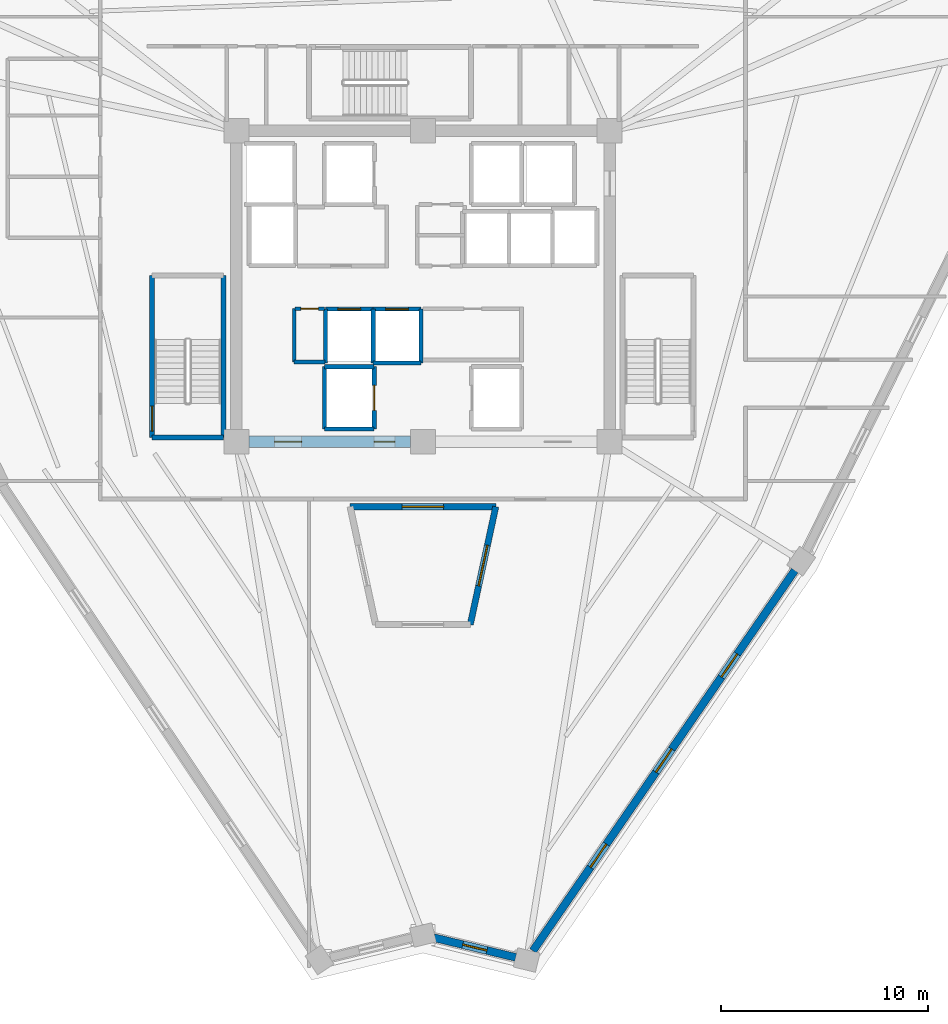
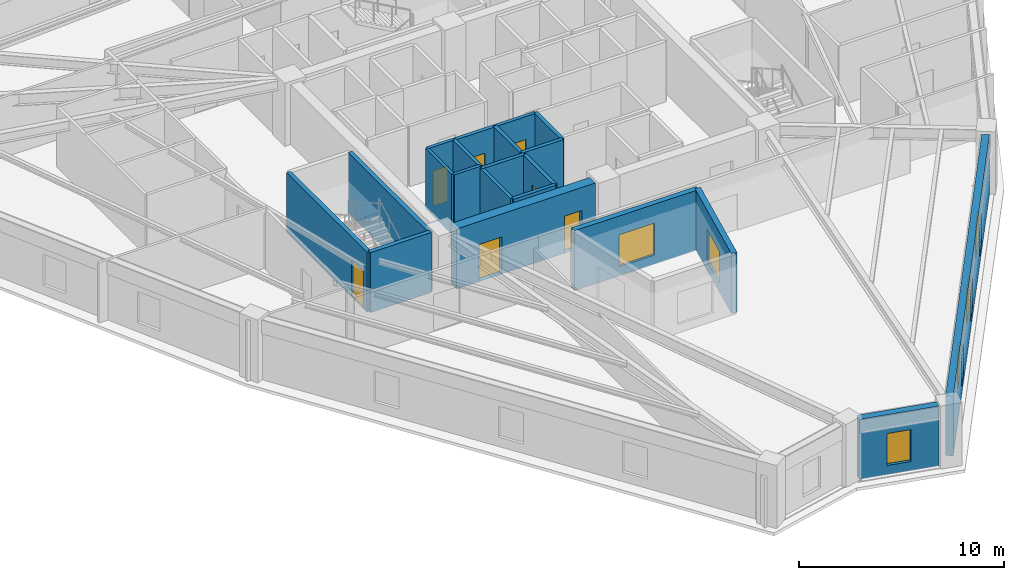
# One storey, part 3 of 10: 21 walls, 7 doors, 6 windows, 13 openings.
"""IFC4 building model written with IfcOpenShell, lengths in metres."""

from ifc_helpers import new_model, si_unit, direction, frame, frame_2d, origin, place, context, subcontext, project, spatial, rectangle, extrude, source, transform, mapped, material, layer, layer_set, type_object, element, fill, save


model = new_model("IFC4")

# Units and contexts
model_context = context("Model", 3, precision=1e-05, world=origin(), true_north=direction((0.0, 1.0)))
body_context = subcontext(model_context, "Body", "Model", "MODEL_VIEW")
ifc_project = project(units=[si_unit("LENGTHUNIT", "METRE"), si_unit("AREAUNIT", "SQUARE_METRE"), si_unit("VOLUMEUNIT", "CUBIC_METRE"), si_unit("PLANEANGLEUNIT", "RADIAN"), si_unit("MASSUNIT", "GRAM", prefix="KILO")], contexts=[model_context])

# Site, building, storey
site_placement = place(None, origin())
site = spatial("IfcSite", under=ifc_project, at=site_placement, CompositionType="ELEMENT")
building_placement = place(site_placement, origin())
building = spatial("IfcBuilding", under=site, at=building_placement, Name="Liaohun Quay Tower", CompositionType="ELEMENT")
storey_placement = place(building_placement, frame((0.0, 0.0, 286.5)))
storey = spatial("IfcBuildingStorey", under=building, at=storey_placement, Name="L74", CompositionType="ELEMENT", Elevation=286.5)

# Wall, opening, window
ifc_material_1 = material(Name="Concrete C50", Category="concrete")
ifc_layer_1 = layer(ifc_material_1, 0.300048828125, Name="Concrete C50", Category="concrete")
ifc_layer_set_1 = layer_set([ifc_layer_1], Name="Concrete C50")
wall_type_1 = type_object("IfcWallType", Name="WAL-ATR-300", PredefinedType="SOLIDWALL", material=ifc_layer_set_1)
wall_1_placement = place(storey_placement, frame((56.488037109375, 43.3701171875, 0.0), z_axis=(0.0, 0.0, 1.0), x_axis=(1.0, 0.0, 0.0)))
wall_1 = element("IfcWall", 1, at=wall_1_placement, inside=storey, type_object=wall_type_1, Name="L74 Atrium Fire Compartment Wall 2", PredefinedType="SOLIDWALL", context=body_context, shape_type="SweptSolid", body=[
    extrude(rectangle(XDim=7.02392578125, YDim=0.300048828125, at=frame_2d((3.511962890625, 0.0))), origin(), (0.0, 0.0, 1.0), 3.570068359375),
])
shared_shape_1 = source(origin(), body_context, "Body", "SweptSolid", [
    extrude(rectangle(XDim=2.0, YDim=1.89990234375, at=frame_2d((1.0, 0.949951171875))), frame((0.0, 0.159912109375, 0.0), z_axis=(0.0, -1.0, 0.0), x_axis=(1.0, 0.0, 0.0)), (0.0, 0.0, 1.0), 0.320068359375),
])
opening_1_placement = place(wall_1_placement, frame((2.511962890625, 0.0, 0.550048828125)))
opening_1 = element("IfcOpeningElement", 2, at=opening_1_placement, cuts=wall_1, Name="Opening W07", PredefinedType="OPENING", context=body_context, shape_type="MappedRepresentation", body=[
    mapped(shared_shape_1, transform((0.0, 0.0, 0.0), x_axis=(1.0, 0.0, 0.0), y_axis=(0.0, 1.0, 0.0), z_axis=(0.0, 0.0, 1.0), scale=1.0)),
])
ifc_material_2 = material(Name="Class A 180-min fire-resistant insulated glazing", Category="glass")
window_type_1 = type_object("IfcWindowType", Name="WIN-ATR-FIR", PartitioningType="DOUBLE_PANEL_VERTICAL", PredefinedType="WINDOW", material=ifc_material_2)
shared_shape_2 = source(origin(), body_context, "Body", "SweptSolid", [
    extrude(rectangle(XDim=2.0, YDim=1.89990234375, at=frame_2d((1.0, 0.949951171875))), frame((0.0, 0.030029296875, 0.0), z_axis=(0.0, -1.0, 0.0), x_axis=(1.0, 0.0, 0.0)), (0.0, 0.0, 1.0), 0.06005859375),
])
window_1_placement = place(opening_1_placement, origin())
window_1 = element("IfcWindow", 3, at=window_1_placement, inside=storey, type_object=window_type_1, Name="L74 Atrium Fire-Resistant Glazing W07-2", OverallHeight=1.89990234375, OverallWidth=2.0, PartitioningType="DOUBLE_PANEL_VERTICAL", PredefinedType="WINDOW", context=body_context, shape_type="MappedRepresentation", body=[
    mapped(shared_shape_2, transform((0.0, 0.0, 0.0), x_axis=(1.0, 0.0, 0.0), y_axis=(0.0, 1.0, 0.0), z_axis=(0.0, 0.0, 1.0), scale=1.0)),
])
fill(opening_1, window_1)

wall_2_placement = place(storey_placement, frame((63.511962890625, 43.3701171875, 0.0), z_axis=(0.0, 0.0, 1.0), x_axis=(-0.211300278916, -0.977421194844, 0.0)))
wall_2 = element("IfcWall", 4, at=wall_2_placement, inside=storey, type_object=wall_type_1, Name="L74 Atrium Fire Compartment Wall 3", PredefinedType="SOLIDWALL", context=body_context, shape_type="SweptSolid", body=[
    extrude(rectangle(XDim=5.81640625, YDim=0.300048828125, at=frame_2d((2.908203125, 0.0))), origin(), (0.0, 0.0, 1.0), 3.570068359375),
])
opening_2_placement = place(wall_2_placement, frame((1.907958984375, 0.0, 0.550048828125)))
opening_2 = element("IfcOpeningElement", 5, at=opening_2_placement, cuts=wall_2, Name="Opening W07", PredefinedType="OPENING", context=body_context, shape_type="MappedRepresentation", body=[
    mapped(shared_shape_1, transform((0.0, 0.0, 0.0), x_axis=(1.0, 0.0, 0.0), y_axis=(0.0, 1.0, 0.0), z_axis=(0.0, 0.0, 1.0), scale=1.0)),
])
window_2_placement = place(opening_2_placement, origin())
window_2 = element("IfcWindow", 6, at=window_2_placement, inside=storey, type_object=window_type_1, Name="L74 Atrium Fire-Resistant Glazing W07-3", OverallHeight=1.89990234375, OverallWidth=2.0, PartitioningType="DOUBLE_PANEL_VERTICAL", PredefinedType="WINDOW", context=body_context, shape_type="MappedRepresentation", body=[
    mapped(shared_shape_2, transform((0.0, 0.0, 0.0), x_axis=(1.0, 0.0, 0.0), y_axis=(0.0, 1.0, 0.0), z_axis=(0.0, 0.0, 1.0), scale=1.0)),
])
fill(opening_2, window_2)

# Wall, openings, doors
ifc_layer_2 = layer(ifc_material_1, 0.550048828125, Name="Concrete C50", Category="concrete")
ifc_layer_set_2 = layer_set([ifc_layer_2], Name="Concrete C50")
wall_type_2 = type_object("IfcWallType", Name="WAL-COR-Z4", PredefinedType="SHEAR", material=ifc_layer_set_2)
wall_3_placement = place(storey_placement, frame((59.39990234375, 46.5, 0.0), z_axis=(0.0, 0.0, 1.0), x_axis=(-1.0, 0.0, 0.0)))
wall_3 = element("IfcWall", 7, at=wall_3_placement, inside=storey, type_object=wall_type_2, Name="L74 Central Core Shear Wall S-W", PredefinedType="SHEAR", context=body_context, shape_type="SweptSolid", body=[
    extrude(rectangle(XDim=7.7998046875, YDim=0.550048828125, at=frame_2d((3.89990234375, 0.0))), origin(), (0.0, 0.0, 1.0), 3.570068359375),
])
shared_shape_3 = source(origin(), body_context, "Body", "SweptSolid", [
    extrude(rectangle(XDim=1.300048828125, YDim=2.199951171875, at=frame_2d((0.64990234375, 1.10009765625))), frame((0.0, 0.284912109375, 0.0), z_axis=(0.0, -1.0, 0.0), x_axis=(1.0, 0.0, 0.0)), (0.0, 0.0, 1.0), 0.570068359375),
])
opening_3_placement = place(wall_3_placement, frame((5.25, 0.0, 0.0)))
opening_3 = element("IfcOpeningElement", 8, at=opening_3_placement, cuts=wall_3, Name="Opening FD1", PredefinedType="OPENING", context=body_context, shape_type="MappedRepresentation", body=[
    mapped(shared_shape_3, transform((0.0, 0.0, 0.0), x_axis=(1.0, 0.0, 0.0), y_axis=(0.0, 1.0, 0.0), z_axis=(0.0, 0.0, 1.0), scale=1.0)),
])
shared_shape_4 = source(origin(), body_context, "Body", "SweptSolid", [
    extrude(rectangle(XDim=1.0, YDim=2.199951171875, at=frame_2d((0.5, 1.10009765625))), frame((0.0, 0.284912109375, 0.0), z_axis=(0.0, -1.0, 0.0), x_axis=(1.0, 0.0, 0.0)), (0.0, 0.0, 1.0), 0.570068359375),
])
opening_4_placement = place(wall_3_placement, frame((0.75, 0.0, 0.0)))
opening_4 = element("IfcOpeningElement", 9, at=opening_4_placement, cuts=wall_3, Name="Opening FD2", PredefinedType="OPENING", context=body_context, shape_type="MappedRepresentation", body=[
    mapped(shared_shape_4, transform((0.0, 0.0, 0.0), x_axis=(1.0, 0.0, 0.0), y_axis=(0.0, 1.0, 0.0), z_axis=(0.0, 0.0, 1.0), scale=1.0)),
])
ifc_material_3 = material(Name="Galvanised steel smokeproof fire door", Category="steel")
door_type_1 = type_object("IfcDoorType", Name="DOR-FFL-1300", OperationType="NOTDEFINED", PredefinedType="DOOR", material=ifc_material_3)
shared_shape_5 = source(origin(), body_context, "Body", "SweptSolid", [
    extrude(rectangle(XDim=1.300048828125, YDim=2.199951171875, at=frame_2d((0.64990234375, 1.10009765625))), frame((0.0, 0.02490234375, 0.0), z_axis=(0.0, -1.0, 0.0), x_axis=(1.0, 0.0, 0.0)), (0.0, 0.0, 1.0), 0.050048828125),
])
door_1_placement = place(opening_3_placement, origin())
door_1 = element("IfcDoor", 10, at=door_1_placement, inside=storey, type_object=door_type_1, Name="L74 West Core Lift Lobby Smokeproof Door", OperationType="SINGLE_SWING_RIGHT", OverallHeight=2.199951171875, OverallWidth=1.300048828125, PredefinedType="DOOR", context=body_context, shape_type="MappedRepresentation", body=[
    mapped(shared_shape_5, transform((0.0, 0.0, 0.0), x_axis=(1.0, 0.0, 0.0), y_axis=(0.0, 1.0, 0.0), z_axis=(0.0, 0.0, 1.0), scale=1.0)),
])
fill(opening_3, door_1)
ifc_material_4 = material(Name="Galvanised steel smokeproof lobby fire door", Category="steel")
door_type_2 = type_object("IfcDoorType", Name="DOR-FFL-1000", OperationType="NOTDEFINED", PredefinedType="DOOR", material=ifc_material_4)
shared_shape_6 = source(origin(), body_context, "Body", "SweptSolid", [
    extrude(rectangle(XDim=1.0, YDim=2.199951171875, at=frame_2d((0.5, 1.10009765625))), frame((0.0, 0.02490234375, 0.0), z_axis=(0.0, -1.0, 0.0), x_axis=(1.0, 0.0, 0.0)), (0.0, 0.0, 1.0), 0.050048828125),
])
door_2_placement = place(opening_4_placement, origin())
door_2 = element("IfcDoor", 11, at=door_2_placement, inside=storey, type_object=door_type_2, Name="L74 South Firefighting Lobby Smokeproof Door", OperationType="SINGLE_SWING_LEFT", OverallHeight=2.199951171875, OverallWidth=1.0, PredefinedType="DOOR", context=body_context, shape_type="MappedRepresentation", body=[
    mapped(shared_shape_6, transform((0.0, 0.0, 0.0), x_axis=(1.0, 0.0, 0.0), y_axis=(0.0, 1.0, 0.0), z_axis=(0.0, 0.0, 1.0), scale=1.0)),
])
fill(opening_4, door_2)

# Wall, opening, window
ifc_material_5 = material(Name="Precast concrete C50 insulated sandwich", Category="concrete")
ifc_layer_3 = layer(ifc_material_5, 0.3798828125, Name="Precast concrete C50 insulated sandwich", Category="concrete")
ifc_layer_set_3 = layer_set([ifc_layer_3], Name="Precast concrete C50 insulated sandwich")
wall_type_3 = type_object("IfcWallType", Name="WAL-EXT-Z34", PredefinedType="SOLIDWALL", material=ifc_layer_set_3)
wall_4_placement = place(storey_placement, frame((60.52490234375, 22.5849609375, 0.0), z_axis=(0.0, 0.0, 1.0), x_axis=(0.97211669423, -0.234497617897, 0.0)))
wall_4 = element("IfcWall", 12, at=wall_4_placement, inside=storey, type_object=wall_type_3, Name="L74 Brutalist Precast Pier Wall 01", PredefinedType="SOLIDWALL", context=body_context, shape_type="SweptSolid", body=[
    extrude(rectangle(XDim=4.0634765625, YDim=0.3798828125, at=frame_2d((2.03173828125, 0.0))), origin(), (0.0, 0.0, 1.0), 3.570068359375),
])
shared_shape_7 = source(origin(), body_context, "Body", "SweptSolid", [
    extrude(rectangle(XDim=1.199951171875, YDim=1.89990234375, at=frame_2d((0.60009765625, 0.949951171875))), frame((0.0, 0.199951171875, 0.0), z_axis=(0.0, -1.0, 0.0), x_axis=(1.0, 0.0, 0.0)), (0.0, 0.0, 1.0), 0.39990234375),
])
opening_5_placement = place(wall_4_placement, frame((1.431884765625, 0.0, 0.550048828125)))
opening_5 = element("IfcOpeningElement", 13, at=opening_5_placement, cuts=wall_4, Name="Opening W05", PredefinedType="OPENING", context=body_context, shape_type="MappedRepresentation", body=[
    mapped(shared_shape_7, transform((0.0, 0.0, 0.0), x_axis=(1.0, 0.0, 0.0), y_axis=(0.0, 1.0, 0.0), z_axis=(0.0, 0.0, 1.0), scale=1.0)),
])
ifc_material_6 = material(Name="Triple Low-E corner notch glazing", Category="glass")
window_type_2 = type_object("IfcWindowType", Name="WIN-NOTCH", PartitioningType="SINGLE_PANEL", PredefinedType="WINDOW", material=ifc_material_6)
shared_shape_8 = source(origin(), body_context, "Body", "SweptSolid", [
    extrude(rectangle(XDim=1.199951171875, YDim=1.89990234375, at=frame_2d((0.60009765625, 0.949951171875))), frame((0.0, 0.030029296875, 0.0), z_axis=(0.0, -1.0, 0.0), x_axis=(1.0, 0.0, 0.0)), (0.0, 0.0, 1.0), 0.06005859375),
])
window_3_placement = place(opening_5_placement, origin())
window_3 = element("IfcWindow", 14, at=window_3_placement, inside=storey, type_object=window_type_2, Name="L74 Corner Notch Window W05-01", OverallHeight=1.89990234375, OverallWidth=1.199951171875, PartitioningType="SINGLE_PANEL", PredefinedType="WINDOW", context=body_context, shape_type="MappedRepresentation", body=[
    mapped(shared_shape_8, transform((0.0, 0.0, 0.0), x_axis=(1.0, 0.0, 0.0), y_axis=(0.0, 1.0, 0.0), z_axis=(0.0, 0.0, 1.0), scale=1.0)),
])
fill(opening_5, window_3)

# Wall, openings, windows
wall_5_placement = place(storey_placement, frame((65.305908203125, 21.949951171875, 0.0), z_axis=(0.0, 0.0, 1.0), x_axis=(0.567030177534, 0.823697018184, 0.0)))
wall_5 = element("IfcWall", 15, at=wall_5_placement, inside=storey, type_object=wall_type_3, Name="L74 Brutalist Precast Pier Wall 02", PredefinedType="SOLIDWALL", context=body_context, shape_type="SweptSolid", body=[
    extrude(rectangle(XDim=22.274169921875, YDim=0.3798828125, at=frame_2d((11.13720703125, 0.0))), origin(), (0.0, 0.0, 1.0), 3.570068359375),
])
shared_shape_9 = source(origin(), body_context, "Body", "SweptSolid", [
    extrude(rectangle(XDim=1.35009765625, YDim=1.85009765625, at=frame_2d((0.675048828125, 0.925048828125))), frame((0.0, 0.199951171875, 0.0), z_axis=(0.0, -1.0, 0.0), x_axis=(1.0, 0.0, 0.0)), (0.0, 0.0, 1.0), 0.39990234375),
])
opening_6_placement = place(wall_5_placement, frame((4.89306640625, 0.0, 0.550048828125)))
opening_6 = element("IfcOpeningElement", 16, at=opening_6_placement, cuts=wall_5, Name="Opening W04", PredefinedType="OPENING", context=body_context, shape_type="MappedRepresentation", body=[
    mapped(shared_shape_9, transform((0.0, 0.0, 0.0), x_axis=(1.0, 0.0, 0.0), y_axis=(0.0, 1.0, 0.0), z_axis=(0.0, 0.0, 1.0), scale=1.0)),
])
opening_7_placement = place(wall_5_placement, frame((10.4619140625, 0.0, 0.550048828125)))
opening_7 = element("IfcOpeningElement", 17, at=opening_7_placement, cuts=wall_5, Name="Opening W04", PredefinedType="OPENING", context=body_context, shape_type="MappedRepresentation", body=[
    mapped(shared_shape_9, transform((0.0, 0.0, 0.0), x_axis=(1.0, 0.0, 0.0), y_axis=(0.0, 1.0, 0.0), z_axis=(0.0, 0.0, 1.0), scale=1.0)),
])
opening_8_placement = place(wall_5_placement, frame((16.030029296875, 0.0, 0.550048828125)))
opening_8 = element("IfcOpeningElement", 18, at=opening_8_placement, cuts=wall_5, Name="Opening W04", PredefinedType="OPENING", context=body_context, shape_type="MappedRepresentation", body=[
    mapped(shared_shape_9, transform((0.0, 0.0, 0.0), x_axis=(1.0, 0.0, 0.0), y_axis=(0.0, 1.0, 0.0), z_axis=(0.0, 0.0, 1.0), scale=1.0)),
])
ifc_material_7 = material(Name="Triple Low-E argon glazing in thermally broken aluminium", Category="aluminium")
window_type_3 = type_object("IfcWindowType", Name="WIN-PUN-Z4", PartitioningType="SINGLE_PANEL", PredefinedType="WINDOW", material=ifc_material_7)
shared_shape_10 = source(origin(), body_context, "Body", "SweptSolid", [
    extrude(rectangle(XDim=1.35009765625, YDim=1.85009765625, at=frame_2d((0.675048828125, 0.925048828125))), frame((0.0, 0.030029296875, 0.0), z_axis=(0.0, -1.0, 0.0), x_axis=(1.0, 0.0, 0.0)), (0.0, 0.0, 1.0), 0.06005859375),
])
window_4_placement = place(opening_6_placement, origin())
window_4 = element("IfcWindow", 19, at=window_4_placement, inside=storey, type_object=window_type_3, Name="L74 Recessed Cold-Climate Punched Window 02-1", OverallHeight=1.85009765625, OverallWidth=1.35009765625, PartitioningType="SINGLE_PANEL", PredefinedType="WINDOW", context=body_context, shape_type="MappedRepresentation", body=[
    mapped(shared_shape_10, transform((0.0, 0.0, 0.0), x_axis=(1.0, 0.0, 0.0), y_axis=(0.0, 1.0, 0.0), z_axis=(0.0, 0.0, 1.0), scale=1.0)),
])
fill(opening_6, window_4)
window_5_placement = place(opening_7_placement, origin())
window_5 = element("IfcWindow", 20, at=window_5_placement, inside=storey, type_object=window_type_3, Name="L74 Recessed Cold-Climate Punched Window 02-2", OverallHeight=1.85009765625, OverallWidth=1.35009765625, PartitioningType="SINGLE_PANEL", PredefinedType="WINDOW", context=body_context, shape_type="MappedRepresentation", body=[
    mapped(shared_shape_10, transform((0.0, 0.0, 0.0), x_axis=(1.0, 0.0, 0.0), y_axis=(0.0, 1.0, 0.0), z_axis=(0.0, 0.0, 1.0), scale=1.0)),
])
fill(opening_7, window_5)
window_6_placement = place(opening_8_placement, origin())
window_6 = element("IfcWindow", 21, at=window_6_placement, inside=storey, type_object=window_type_3, Name="L74 Recessed Cold-Climate Punched Window 02-3", OverallHeight=1.85009765625, OverallWidth=1.35009765625, PartitioningType="SINGLE_PANEL", PredefinedType="WINDOW", context=body_context, shape_type="MappedRepresentation", body=[
    mapped(shared_shape_10, transform((0.0, 0.0, 0.0), x_axis=(1.0, 0.0, 0.0), y_axis=(0.0, 1.0, 0.0), z_axis=(0.0, 0.0, 1.0), scale=1.0)),
])
fill(opening_8, window_6)

# Wall, opening, door
ifc_material_8 = material(Name="Autoclaved aerated concrete blockwork", Category="masonry")
ifc_layer_4 = layer(ifc_material_8, 0.179931640625, Name="Autoclaved aerated concrete blockwork", Category="masonry")
ifc_layer_set_4 = layer_set([ifc_layer_4], Name="Autoclaved aerated concrete blockwork")
wall_type_4 = type_object("IfcWallType", Name="WAL-PRT-COR", PredefinedType="PARTITIONING", material=ifc_layer_set_4)
wall_6_placement = place(storey_placement, frame((53.820068359375, 52.919921875, 0.0), z_axis=(0.0, 0.0, 1.0), x_axis=(1.0, 0.0, 0.0)))
wall_6 = element("IfcWall", 22, at=wall_6_placement, inside=storey, type_object=wall_type_4, Name="L74 Interior Partition Wall 005", PredefinedType="PARTITIONING", context=body_context, shape_type="SweptSolid", body=[
    extrude(rectangle(XDim=1.429931640625, YDim=0.179931640625, at=frame_2d((0.71484375, 0.0))), origin(), (0.0, 0.0, 1.0), 3.570068359375),
])
shared_shape_11 = source(origin(), body_context, "Body", "SweptSolid", [
    extrude(rectangle(XDim=0.85009765625, YDim=2.10009765625, at=frame_2d((0.425048828125, 1.050048828125))), frame((0.0, 0.099853515625, 0.0), z_axis=(0.0, -1.0, 0.0), x_axis=(1.0, 0.0, 0.0)), (0.0, 0.0, 1.0), 0.199951171875),
])
opening_9_placement = place(wall_6_placement, frame((0.2900390625, 0.0, 0.0)))
opening_9 = element("IfcOpeningElement", 23, at=opening_9_placement, cuts=wall_6, Name="Opening AD1", PredefinedType="OPENING", context=body_context, shape_type="MappedRepresentation", body=[
    mapped(shared_shape_11, transform((0.0, 0.0, 0.0), x_axis=(1.0, 0.0, 0.0), y_axis=(0.0, 1.0, 0.0), z_axis=(0.0, 0.0, 1.0), scale=1.0)),
])
ifc_material_9 = material(Name="Steel riser inspection fire door", Category="steel")
door_type_3 = type_object("IfcDoorType", Name="DOR-SHF-850", OperationType="NOTDEFINED", PredefinedType="DOOR", material=ifc_material_9)
shared_shape_12 = source(origin(), body_context, "Body", "SweptSolid", [
    extrude(rectangle(XDim=0.85009765625, YDim=2.10009765625, at=frame_2d((0.425048828125, 1.050048828125))), frame((0.0, 0.02490234375, 0.0), z_axis=(0.0, -1.0, 0.0), x_axis=(1.0, 0.0, 0.0)), (0.0, 0.0, 1.0), 0.050048828125),
])
door_3_placement = place(opening_9_placement, origin())
door_3 = element("IfcDoor", 24, at=door_3_placement, inside=storey, type_object=door_type_3, Name="L74 Core Fire Hose and Riser Closet Door", OperationType="SINGLE_SWING_RIGHT", OverallHeight=2.10009765625, OverallWidth=0.85009765625, PredefinedType="DOOR", context=body_context, shape_type="MappedRepresentation", body=[
    mapped(shared_shape_12, transform((0.0, 0.0, 0.0), x_axis=(1.0, 0.0, 0.0), y_axis=(0.0, 1.0, 0.0), z_axis=(0.0, 0.0, 1.0), scale=1.0)),
])
fill(opening_9, door_3)

# Walls
wall_7_placement = place(storey_placement, frame((53.7900390625, 50.35009765625, 0.0), z_axis=(0.0, 0.0, 1.0), x_axis=(0.0, 1.0, 0.0)))
element("IfcWall", 25, at=wall_7_placement, inside=storey, type_object=wall_type_4, Name="L74 Interior Partition Wall 029", PredefinedType="PARTITIONING", context=body_context, shape_type="SweptSolid", body=[
    extrude(rectangle(XDim=2.56982421875, YDim=0.179931640625, at=frame_2d((1.284912109375, 0.0))), origin(), (0.0, 0.0, 1.0), 3.570068359375),
])
wall_8_placement = place(storey_placement, frame((53.7900390625, 50.35009765625, 0.0), z_axis=(0.0, 0.0, 1.0), x_axis=(1.0, 0.0, 0.0)))
element("IfcWall", 26, at=wall_8_placement, inside=storey, type_object=wall_type_4, Name="L74 Interior Partition Wall 030", PredefinedType="PARTITIONING", context=body_context, shape_type="SweptSolid", body=[
    extrude(rectangle(XDim=1.489990234375, YDim=0.179931640625, at=frame_2d((0.7451171875, 0.0))), origin(), (0.0, 0.0, 1.0), 3.570068359375),
])
ifc_layer_5 = layer(ifc_material_1, 0.239990234375, Name="Concrete C50", Category="concrete")
ifc_layer_set_5 = layer_set([ifc_layer_5], Name="Concrete C50")
wall_type_5 = type_object("IfcWallType", Name="WAL-SHF-200", PredefinedType="SOLIDWALL", material=ifc_layer_set_5)
wall_9_placement = place(storey_placement, frame((46.93994140625, 46.699951171875, 0.0), z_axis=(0.0, 0.0, 1.0), x_axis=(1.0, 0.0, 0.0)))
element("IfcWall", 27, at=wall_9_placement, inside=storey, type_object=wall_type_5, Name="L74 Stairwell ST-1 Structural Core Wall S", PredefinedType="SOLIDWALL", context=body_context, shape_type="SweptSolid", body=[
    extrude(rectangle(XDim=3.43994140625, YDim=0.239990234375, at=frame_2d((1.719970703125, 0.0))), origin(), (0.0, 0.0, 1.0), 3.570068359375),
])
wall_10_placement = place(storey_placement, frame((50.3798828125, 46.699951171875, 0.0), z_axis=(0.0, 0.0, 1.0), x_axis=(0.0, 1.0, 0.0)))
element("IfcWall", 28, at=wall_10_placement, inside=storey, type_object=wall_type_5, Name="L74 Stairwell ST-1 Structural Core Wall E", PredefinedType="SOLIDWALL", context=body_context, shape_type="SweptSolid", body=[
    extrude(rectangle(XDim=7.820068359375, YDim=0.239990234375, at=frame_2d((3.91015625, 0.0))), origin(), (0.0, 0.0, 1.0), 3.570068359375),
])

# Wall, opening, door
wall_11_placement = place(storey_placement, frame((46.93994140625, 54.52001953125, 0.0), z_axis=(0.0, 0.0, 1.0), x_axis=(0.0, -1.0, 0.0)))
wall_11 = element("IfcWall", 29, at=wall_11_placement, inside=storey, type_object=wall_type_5, Name="L74 Stairwell ST-1 Structural Core Wall W", PredefinedType="SOLIDWALL", context=body_context, shape_type="SweptSolid", body=[
    extrude(rectangle(XDim=7.820068359375, YDim=0.239990234375, at=frame_2d((3.91015625, 0.0))), origin(), (0.0, 0.0, 1.0), 3.570068359375),
])
shared_shape_13 = source(origin(), body_context, "Body", "SweptSolid", [
    extrude(rectangle(XDim=1.199951171875, YDim=2.199951171875, at=frame_2d((0.60009765625, 1.10009765625))), frame((0.0, 0.1298828125, 0.0), z_axis=(0.0, -1.0, 0.0), x_axis=(1.0, 0.0, 0.0)), (0.0, 0.0, 1.0), 0.260009765625),
])
opening_10_placement = place(wall_11_placement, frame((6.300048828125, 0.0, 0.0)))
opening_10 = element("IfcOpeningElement", 30, at=opening_10_placement, cuts=wall_11, Name="Opening SD1", PredefinedType="OPENING", context=body_context, shape_type="MappedRepresentation", body=[
    mapped(shared_shape_13, transform((0.0, 0.0, 0.0), x_axis=(1.0, 0.0, 0.0), y_axis=(0.0, 1.0, 0.0), z_axis=(0.0, 0.0, 1.0), scale=1.0)),
])
ifc_material_10 = material(Name="Galvanised steel fire door", Category="steel")
door_type_4 = type_object("IfcDoorType", Name="DOR-STR-1200", OperationType="NOTDEFINED", PredefinedType="DOOR", material=ifc_material_10)
shared_shape_14 = source(origin(), body_context, "Body", "SweptSolid", [
    extrude(rectangle(XDim=1.199951171875, YDim=2.199951171875, at=frame_2d((0.60009765625, 1.10009765625))), frame((0.0, 0.02490234375, 0.0), z_axis=(0.0, -1.0, 0.0), x_axis=(1.0, 0.0, 0.0)), (0.0, 0.0, 1.0), 0.050048828125),
])
door_4_placement = place(opening_10_placement, origin())
door_4 = element("IfcDoor", 31, at=door_4_placement, inside=storey, type_object=door_type_4, Name="L74 Protected Stair ST-1 Fire Door", OperationType="SINGLE_SWING_LEFT", OverallHeight=2.199951171875, OverallWidth=1.199951171875, PredefinedType="DOOR", context=body_context, shape_type="MappedRepresentation", body=[
    mapped(shared_shape_14, transform((0.0, 0.0, 0.0), x_axis=(1.0, 0.0, 0.0), y_axis=(0.0, 1.0, 0.0), z_axis=(0.0, 0.0, 1.0), scale=1.0)),
])
fill(opening_10, door_4)

# Wall
wall_12_placement = place(storey_placement, frame((55.25, 47.1201171875, 0.0), z_axis=(0.0, 0.0, 1.0), x_axis=(1.0, 0.0, 0.0)))
element("IfcWall", 32, at=wall_12_placement, inside=storey, type_object=wall_type_5, Name="L74 Lift FF-01 Hoistway Wall S", PredefinedType="SOLIDWALL", context=body_context, shape_type="SweptSolid", body=[
    extrude(rectangle(XDim=2.39990234375, YDim=0.199951171875, at=frame_2d((1.199951171875, 0.0))), origin(), (0.0, 0.0, 1.0), 3.570068359375),
])

# Wall, opening, door
wall_13_placement = place(storey_placement, frame((57.64990234375, 47.1201171875, 0.0), z_axis=(0.0, 0.0, 1.0), x_axis=(0.0, 1.0, 0.0)))
wall_13 = element("IfcWall", 33, at=wall_13_placement, inside=storey, type_object=wall_type_5, Name="L74 Lift FF-01 Hoistway Wall E", PredefinedType="SOLIDWALL", context=body_context, shape_type="SweptSolid", body=[
    extrude(rectangle(XDim=3.0, YDim=0.199951171875, at=frame_2d((1.5, 0.0))), origin(), (0.0, 0.0, 1.0), 3.570068359375),
])
shared_shape_15 = source(origin(), body_context, "Body", "SweptSolid", [
    extrude(rectangle(XDim=1.199951171875, YDim=2.300048828125, at=frame_2d((0.60009765625, 1.14990234375))), frame((0.0, 0.10986328125, 0.0), z_axis=(0.0, -1.0, 0.0), x_axis=(1.0, 0.0, 0.0)), (0.0, 0.0, 1.0), 0.219970703125),
])
opening_11_placement = place(wall_13_placement, frame((0.89990234375, 0.0, 0.0)))
opening_11 = element("IfcOpeningElement", 34, at=opening_11_placement, cuts=wall_13, Name="Opening LD2", PredefinedType="OPENING", context=body_context, shape_type="MappedRepresentation", body=[
    mapped(shared_shape_15, transform((0.0, 0.0, 0.0), x_axis=(1.0, 0.0, 0.0), y_axis=(0.0, 1.0, 0.0), z_axis=(0.0, 0.0, 1.0), scale=1.0)),
])
ifc_material_11 = material(Name="Brushed stainless steel stretcher landing door", Category="steel")
door_type_5 = type_object("IfcDoorType", Name="DOR-LFT-1200", OperationType="SLIDING_TO_LEFT", PredefinedType="DOOR", material=ifc_material_11)
shared_shape_16 = source(origin(), body_context, "Body", "SweptSolid", [
    extrude(rectangle(XDim=1.199951171875, YDim=2.300048828125, at=frame_2d((0.60009765625, 1.14990234375))), frame((0.0, 0.02490234375, 0.0), z_axis=(0.0, -1.0, 0.0), x_axis=(1.0, 0.0, 0.0)), (0.0, 0.0, 1.0), 0.050048828125),
])
door_5_placement = place(opening_11_placement, origin())
door_5 = element("IfcDoor", 35, at=door_5_placement, inside=storey, type_object=door_type_5, Name="L74 Lift FF-01 Sliding Landing Door", OperationType="SLIDING_TO_LEFT", OverallHeight=2.300048828125, OverallWidth=1.199951171875, PredefinedType="DOOR", context=body_context, shape_type="MappedRepresentation", body=[
    mapped(shared_shape_16, transform((0.0, 0.0, 0.0), x_axis=(1.0, 0.0, 0.0), y_axis=(0.0, 1.0, 0.0), z_axis=(0.0, 0.0, 1.0), scale=1.0)),
])
fill(opening_11, door_5)

# Walls
wall_14_placement = place(storey_placement, frame((57.64990234375, 50.1201171875, 0.0), z_axis=(0.0, 0.0, 1.0), x_axis=(-1.0, 0.0, 0.0)))
element("IfcWall", 36, at=wall_14_placement, inside=storey, type_object=wall_type_5, Name="L74 Lift FF-01 Hoistway Wall N", PredefinedType="SOLIDWALL", context=body_context, shape_type="SweptSolid", body=[
    extrude(rectangle(XDim=2.39990234375, YDim=0.199951171875, at=frame_2d((1.199951171875, 0.0))), origin(), (0.0, 0.0, 1.0), 3.570068359375),
])
wall_15_placement = place(storey_placement, frame((55.25, 50.1201171875, 0.0), z_axis=(0.0, 0.0, 1.0), x_axis=(0.0, -1.0, 0.0)))
element("IfcWall", 37, at=wall_15_placement, inside=storey, type_object=wall_type_5, Name="L74 Lift FF-01 Hoistway Wall W", PredefinedType="SOLIDWALL", context=body_context, shape_type="SweptSolid", body=[
    extrude(rectangle(XDim=3.0, YDim=0.199951171875, at=frame_2d((1.5, 0.0))), origin(), (0.0, 0.0, 1.0), 3.570068359375),
])
wall_16_placement = place(storey_placement, frame((57.60009765625, 50.300048828125, 0.0), z_axis=(0.0, 0.0, 1.0), x_axis=(0.0, 1.0, 0.0)))
element("IfcWall", 38, at=wall_16_placement, inside=storey, type_object=wall_type_5, Name="L74 Lift PL-4A Hoistway Wall E", PredefinedType="SOLIDWALL", context=body_context, shape_type="SweptSolid", body=[
    extrude(rectangle(XDim=2.599853515625, YDim=0.199951171875, at=frame_2d((1.2998046875, 0.0))), origin(), (0.0, 0.0, 1.0), 3.570068359375),
])

# Wall, opening, door
wall_17_placement = place(storey_placement, frame((57.60009765625, 52.89990234375, 0.0), z_axis=(0.0, 0.0, 1.0), x_axis=(-1.0, 0.0, 0.0)))
wall_17 = element("IfcWall", 39, at=wall_17_placement, inside=storey, type_object=wall_type_5, Name="L74 Lift PL-4A Hoistway Wall N", PredefinedType="SOLIDWALL", context=body_context, shape_type="SweptSolid", body=[
    extrude(rectangle(XDim=2.300048828125, YDim=0.199951171875, at=frame_2d((1.14990234375, 0.0))), origin(), (0.0, 0.0, 1.0), 3.570068359375),
])
shared_shape_17 = source(origin(), body_context, "Body", "SweptSolid", [
    extrude(rectangle(XDim=1.10009765625, YDim=2.199951171875, at=frame_2d((0.550048828125, 1.10009765625))), frame((0.0, 0.10986328125, 0.0), z_axis=(0.0, -1.0, 0.0), x_axis=(1.0, 0.0, 0.0)), (0.0, 0.0, 1.0), 0.219970703125),
])
opening_12_placement = place(wall_17_placement, frame((0.60009765625, 0.0, 0.0)))
opening_12 = element("IfcOpeningElement", 40, at=opening_12_placement, cuts=wall_17, Name="Opening LD1", PredefinedType="OPENING", context=body_context, shape_type="MappedRepresentation", body=[
    mapped(shared_shape_17, transform((0.0, 0.0, 0.0), x_axis=(1.0, 0.0, 0.0), y_axis=(0.0, 1.0, 0.0), z_axis=(0.0, 0.0, 1.0), scale=1.0)),
])
ifc_material_12 = material(Name="Brushed stainless steel landing door", Category="steel")
door_type_6 = type_object("IfcDoorType", Name="DOR-LFT-1100", OperationType="SLIDING_TO_LEFT", PredefinedType="DOOR", material=ifc_material_12)
shared_shape_18 = source(origin(), body_context, "Body", "SweptSolid", [
    extrude(rectangle(XDim=1.10009765625, YDim=2.199951171875, at=frame_2d((0.550048828125, 1.10009765625))), frame((0.0, 0.02490234375, 0.0), z_axis=(0.0, -1.0, 0.0), x_axis=(1.0, 0.0, 0.0)), (0.0, 0.0, 1.0), 0.050048828125),
])
door_6_placement = place(opening_12_placement, origin())
door_6 = element("IfcDoor", 41, at=door_6_placement, inside=storey, type_object=door_type_6, Name="L74 Lift PL-4A Sliding Landing Door", OperationType="SLIDING_TO_LEFT", OverallHeight=2.199951171875, OverallWidth=1.10009765625, PredefinedType="DOOR", context=body_context, shape_type="MappedRepresentation", body=[
    mapped(shared_shape_18, transform((0.0, 0.0, 0.0), x_axis=(1.0, 0.0, 0.0), y_axis=(0.0, 1.0, 0.0), z_axis=(0.0, 0.0, 1.0), scale=1.0)),
])
fill(opening_12, door_6)

# Walls
wall_18_placement = place(storey_placement, frame((55.300048828125, 52.89990234375, 0.0), z_axis=(0.0, 0.0, 1.0), x_axis=(0.0, -1.0, 0.0)))
element("IfcWall", 42, at=wall_18_placement, inside=storey, type_object=wall_type_5, Name="L74 Lift PL-4A Hoistway Wall W", PredefinedType="SOLIDWALL", context=body_context, shape_type="SweptSolid", body=[
    extrude(rectangle(XDim=2.599853515625, YDim=0.199951171875, at=frame_2d((1.2998046875, 0.0))), origin(), (0.0, 0.0, 1.0), 3.570068359375),
])
wall_19_placement = place(storey_placement, frame((57.60009765625, 50.300048828125, 0.0), z_axis=(0.0, 0.0, 1.0), x_axis=(1.0, 0.0, 0.0)))
element("IfcWall", 43, at=wall_19_placement, inside=storey, type_object=wall_type_5, Name="L74 Lift PL-4B Hoistway Wall S", PredefinedType="SOLIDWALL", context=body_context, shape_type="SweptSolid", body=[
    extrude(rectangle(XDim=2.2998046875, YDim=0.199951171875, at=frame_2d((1.14990234375, 0.0))), origin(), (0.0, 0.0, 1.0), 3.570068359375),
])
wall_20_placement = place(storey_placement, frame((59.89990234375, 50.300048828125, 0.0), z_axis=(0.0, 0.0, 1.0), x_axis=(0.0, 1.0, 0.0)))
element("IfcWall", 44, at=wall_20_placement, inside=storey, type_object=wall_type_5, Name="L74 Lift PL-4B Hoistway Wall E", PredefinedType="SOLIDWALL", context=body_context, shape_type="SweptSolid", body=[
    extrude(rectangle(XDim=2.599853515625, YDim=0.199951171875, at=frame_2d((1.2998046875, 0.0))), origin(), (0.0, 0.0, 1.0), 3.570068359375),
])

# Wall, opening, door
wall_21_placement = place(storey_placement, frame((59.89990234375, 52.89990234375, 0.0), z_axis=(0.0, 0.0, 1.0), x_axis=(-1.0, 0.0, 0.0)))
wall_21 = element("IfcWall", 45, at=wall_21_placement, inside=storey, type_object=wall_type_5, Name="L74 Lift PL-4B Hoistway Wall N", PredefinedType="SOLIDWALL", context=body_context, shape_type="SweptSolid", body=[
    extrude(rectangle(XDim=2.2998046875, YDim=0.199951171875, at=frame_2d((1.14990234375, 0.0))), origin(), (0.0, 0.0, 1.0), 3.570068359375),
])
opening_13_placement = place(wall_21_placement, frame((0.60009765625, 0.0, 0.0)))
opening_13 = element("IfcOpeningElement", 46, at=opening_13_placement, cuts=wall_21, Name="Opening LD1", PredefinedType="OPENING", context=body_context, shape_type="MappedRepresentation", body=[
    mapped(shared_shape_17, transform((0.0, 0.0, 0.0), x_axis=(1.0, 0.0, 0.0), y_axis=(0.0, 1.0, 0.0), z_axis=(0.0, 0.0, 1.0), scale=1.0)),
])
door_7_placement = place(opening_13_placement, origin())
door_7 = element("IfcDoor", 47, at=door_7_placement, inside=storey, type_object=door_type_6, Name="L74 Lift PL-4B Sliding Landing Door", OperationType="SLIDING_TO_LEFT", OverallHeight=2.199951171875, OverallWidth=1.10009765625, PredefinedType="DOOR", context=body_context, shape_type="MappedRepresentation", body=[
    mapped(shared_shape_18, transform((0.0, 0.0, 0.0), x_axis=(1.0, 0.0, 0.0), y_axis=(0.0, 1.0, 0.0), z_axis=(0.0, 0.0, 1.0), scale=1.0)),
])
fill(opening_13, door_7)

save(model, "model.ifc")
